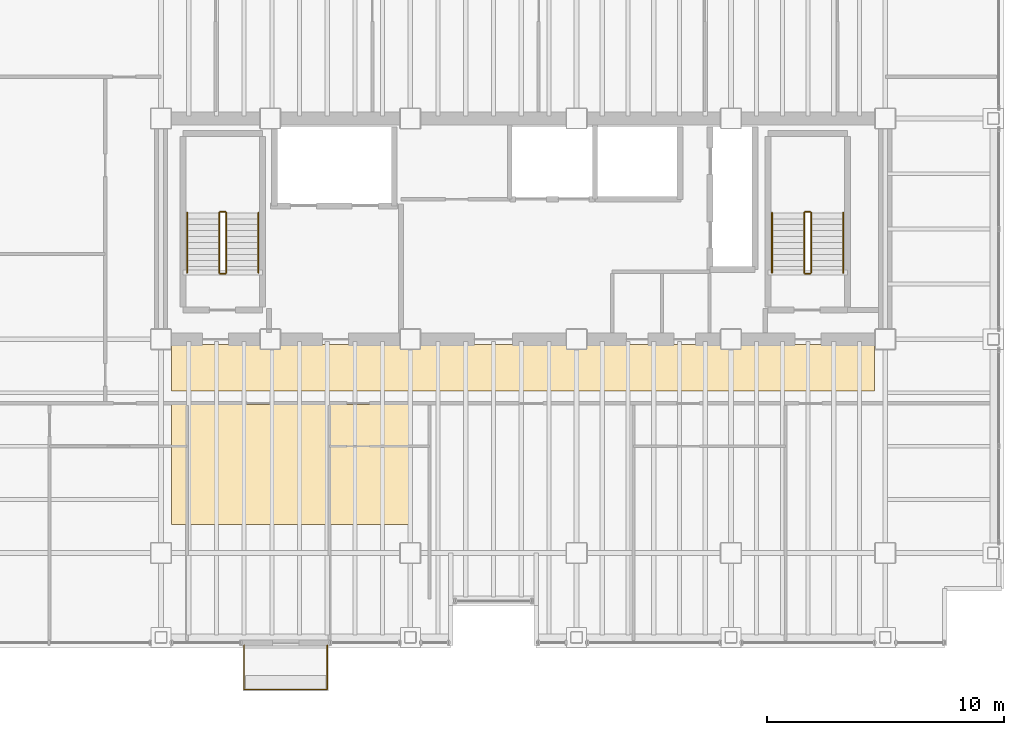
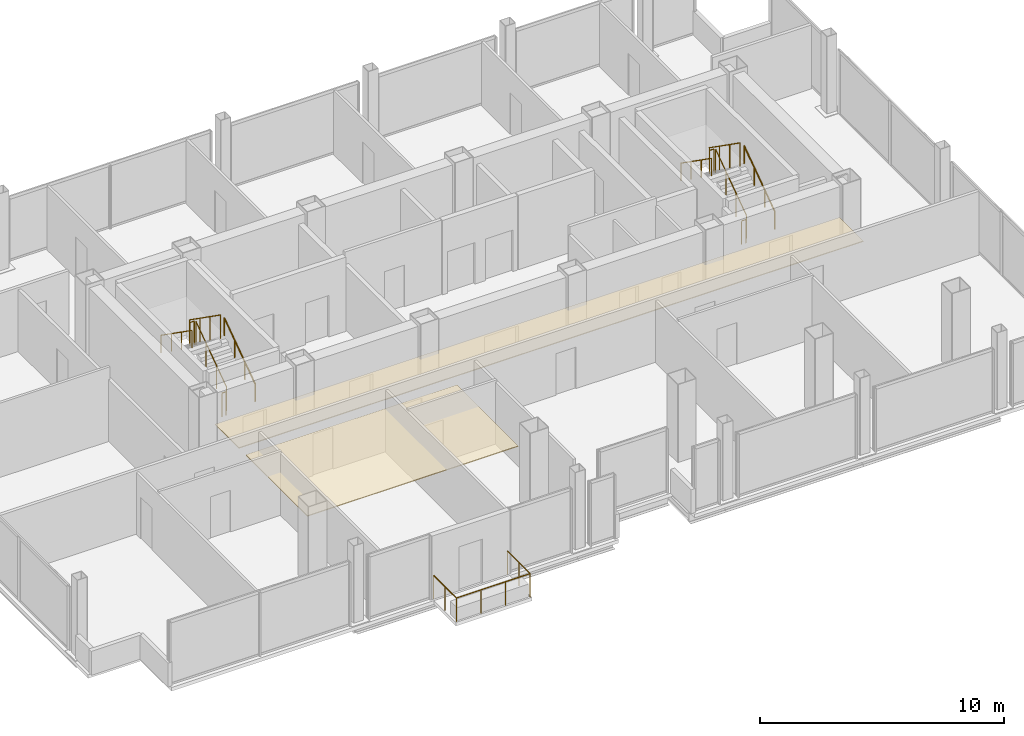
# One storey, part 19 of 19: 13 railings, 2 coverings.
"""IFC4 building model written with IfcOpenShell, lengths in metres."""

from ifc_helpers import new_model, si_unit, direction, frame, origin, origin_2d, place, context, subcontext, project, spatial, polyline, circle, outline, extrude, material, layer, layer_set, type_object, element, save


model = new_model("IFC4")

# Units and contexts
model_context = context("Model", 3, precision=1e-05, world=origin(), true_north=direction((0.0, 1.0)))
body_context = subcontext(model_context, "Body", "Model", "MODEL_VIEW")
ifc_project = project(units=[si_unit("LENGTHUNIT", "METRE"), si_unit("AREAUNIT", "SQUARE_METRE"), si_unit("VOLUMEUNIT", "CUBIC_METRE"), si_unit("PLANEANGLEUNIT", "RADIAN"), si_unit("MASSUNIT", "GRAM", prefix="KILO")], contexts=[model_context])

# Site, building, storey
site_placement = place(None, origin())
site = spatial("IfcSite", under=ifc_project, at=site_placement, CompositionType="ELEMENT")
building_placement = place(site_placement, origin())
building = spatial("IfcBuilding", under=site, at=building_placement, Name="Noeulbin Bourse Tower", CompositionType="ELEMENT")
storey_placement = place(building_placement, frame((0.0, 0.0, 157.800048828125)))
storey = spatial("IfcBuildingStorey", under=building, at=storey_placement, Name="L39", CompositionType="ELEMENT", Elevation=157.800048828125)

# Coverings
ifc_material_1 = material(Name="Perforated Mineral-Fibre Acoustic Tile")
ifc_layer_1 = layer(ifc_material_1, 0.0400390625)
ifc_layer_set_1 = layer_set([ifc_layer_1], Name="Perforated Mineral-Fibre Acoustic Tile")
covering_type = type_object("IfcCoveringType", Name="COV-CEIL-ACT", PredefinedType="CEILING", material=ifc_layer_set_1)
covering_1_placement = place(storey_placement, frame((0.0, 0.0, 2.10986328125)))
element("IfcCovering", 1, at=covering_1_placement, inside=storey, type_object=covering_type, Name="Corridor Suspended Ceiling L39", PredefinedType="CEILING", context=body_context, shape_type="SweptSolid", body=[
    extrude(outline(polyline([(13.949951171875, 26.820068359375), (43.550048828125, 26.820068359375), (43.550048828125, 28.780029296875), (13.949951171875, 28.780029296875), (13.949951171875, 26.820068359375)])), origin(), (0.0, 0.0, 1.0), 0.0400390625),
])
covering_2_placement = place(storey_placement, frame((0.0, 0.0, 2.10986328125)))
element("IfcCovering", 2, at=covering_2_placement, inside=storey, type_object=covering_type, Name="Trading Suite Acoustic Ceiling L39", PredefinedType="CEILING", context=body_context, shape_type="SweptSolid", body=[
    extrude(outline(polyline([(13.949951171875, 21.199951171875), (23.949951171875, 21.199951171875), (23.949951171875, 26.25), (13.949951171875, 26.25), (13.949951171875, 21.199951171875)])), origin(), (0.0, 0.0, 1.0), 0.0400390625),
])

# Railings
ifc_material_2 = material(Name="Laminated SentryGlas and Stainless Steel 316", Category="steel")
ifc_layer_2 = layer(ifc_material_2, 0.06005859375)
ifc_layer_set_2 = layer_set([ifc_layer_2], Name="Laminated SentryGlas and Stainless Steel 316")
railing_type_1 = type_object("IfcRailingType", Name="RLG-BAL-1200", PredefinedType="BALUSTRADE", material=ifc_layer_set_2)
railing_1_placement = place(storey_placement, frame((17.0, 16.1201171875, 0.0)))
element("IfcRailing", 3, at=railing_1_placement, inside=storey, type_object=railing_type_1, Name="Tree-Balcony Glazed Balustrade L39", PredefinedType="BALUSTRADE", context=body_context, shape_type="SweptSolid", body=[
    extrude(circle(Radius=0.02392578125, at=origin_2d()), frame((0.0, 0.0, 1.17578125), z_axis=(0.0, -1.0, 0.0), x_axis=(1.0, 0.0, 0.0)), (0.0, 0.0, 1.0), 1.8701171875),
    extrude(circle(Radius=0.02392578125, at=origin_2d()), frame((0.0, -1.8701171875, 1.17578125), z_axis=(1.0, 0.0, 0.0), x_axis=(0.0, 1.0, 0.0)), (0.0, 0.0, 1.0), 3.5),
    extrude(circle(Radius=0.02392578125, at=origin_2d()), frame((3.5, -1.8701171875, 1.17578125), z_axis=(0.0, 1.0, 0.0), x_axis=(-1.0, 0.0, 0.0)), (0.0, 0.0, 1.0), 1.8701171875),
    extrude(circle(Radius=0.02099609375, at=origin_2d()), origin(), (0.0, 0.0, 1.0), 1.15185546875),
    extrude(circle(Radius=0.02099609375, at=origin_2d()), frame((0.0, -0.93505859375, 0.0)), (0.0, 0.0, 1.0), 1.15185546875),
    extrude(circle(Radius=0.02099609375, at=origin_2d()), frame((0.0, -1.8701171875, 0.0)), (0.0, 0.0, 1.0), 1.15185546875),
    extrude(circle(Radius=0.02099609375, at=origin_2d()), frame((1.166748046875, -1.8701171875, 0.0)), (0.0, 0.0, 1.0), 1.15185546875),
    extrude(circle(Radius=0.02099609375, at=origin_2d()), frame((2.333251953125, -1.8701171875, 0.0)), (0.0, 0.0, 1.0), 1.15185546875),
    extrude(circle(Radius=0.02099609375, at=origin_2d()), frame((3.5, -1.8701171875, 0.0)), (0.0, 0.0, 1.0), 1.15185546875),
    extrude(circle(Radius=0.02099609375, at=origin_2d()), frame((3.5, -0.93505859375, 0.0)), (0.0, 0.0, 1.0), 1.15185546875),
    extrude(circle(Radius=0.02099609375, at=origin_2d()), frame((3.5, 0.0, 0.0)), (0.0, 0.0, 1.0), 1.15185546875),
])
ifc_material_3 = material(Name="Painted Tubular Steel S355", Category="steel")
ifc_layer_3 = layer(ifc_material_3, 0.048095703125)
ifc_layer_set_3 = layer_set([ifc_layer_3], Name="Painted Tubular Steel S355")
railing_type_2 = type_object("IfcRailingType", Name="RLG-STR-GRD", PredefinedType="GUARDRAIL", material=ifc_layer_set_3)
railing_2_placement = place(storey_placement, frame((16.25, 31.81005859375, 0.17724609375)))
element("IfcRailing", 4, at=railing_2_placement, inside=storey, type_object=railing_type_2, Name="L39 ST-1 stair guard 1", PredefinedType="GUARDRAIL", context=body_context, shape_type="SweptSolid", body=[
    extrude(circle(Radius=0.02392578125, at=origin_2d()), frame((0.0, 0.0, 1.17578125), z_axis=(0.0, 0.817904474719, 0.575354039036), x_axis=(-1.0, 0.0, 0.0)), (0.0, 0.0, 1.0), 3.0810546875),
    extrude(circle(Radius=0.02099609375, at=origin_2d()), origin(), (0.0, 0.0, 1.0), 1.15185546875),
    extrude(circle(Radius=0.02099609375, at=origin_2d()), frame((0.0, 0.840087890625, 0.5908203125)), (0.0, 0.0, 1.0), 1.15185546875),
    extrude(circle(Radius=0.02099609375, at=origin_2d()), frame((0.0, 1.679931640625, 1.181884765625)), (0.0, 0.0, 1.0), 1.15185546875),
    extrude(circle(Radius=0.02099609375, at=origin_2d()), frame((0.0, 2.52001953125, 1.772705078125)), (0.0, 0.0, 1.0), 1.15185546875),
])
railing_3_placement = place(storey_placement, frame((16.199951171875, 34.3798828125, 1.949951171875)))
element("IfcRailing", 5, at=railing_3_placement, inside=storey, type_object=railing_type_2, Name="L39 ST-1 stair guard 2", PredefinedType="GUARDRAIL", context=body_context, shape_type="SweptSolid", body=[
    extrude(circle(Radius=0.02392578125, at=origin_2d()), frame((0.0, 0.0, 1.17578125), z_axis=(-1.0, 0.0, 0.0), x_axis=(0.0, -1.0, 0.0)), (0.0, 0.0, 1.0), 0.199951171875),
    extrude(circle(Radius=0.02099609375, at=origin_2d()), origin(), (0.0, 0.0, 1.0), 1.15185546875),
    extrude(circle(Radius=0.02099609375, at=origin_2d()), frame((-0.199951171875, 0.0, 0.0)), (0.0, 0.0, 1.0), 1.15185546875),
])
railing_4_placement = place(storey_placement, frame((15.949951171875, 34.330078125, 2.127197265625)))
element("IfcRailing", 6, at=railing_4_placement, inside=storey, type_object=railing_type_2, Name="L39 ST-1 stair guard 3", PredefinedType="GUARDRAIL", context=body_context, shape_type="SweptSolid", body=[
    extrude(circle(Radius=0.02392578125, at=origin_2d()), frame((0.0, 0.0, 1.17578125), z_axis=(0.0, -0.817904474719, 0.575354039036), x_axis=(1.0, 0.0, 0.0)), (0.0, 0.0, 1.0), 3.0810546875),
    extrude(circle(Radius=0.02099609375, at=origin_2d()), origin(), (0.0, 0.0, 1.0), 1.15185546875),
    extrude(circle(Radius=0.02099609375, at=origin_2d()), frame((0.0, -0.840087890625, 0.5908203125)), (0.0, 0.0, 1.0), 1.15185546875),
    extrude(circle(Radius=0.02099609375, at=origin_2d()), frame((0.0, -1.679931640625, 1.181884765625)), (0.0, 0.0, 1.0), 1.15185546875),
    extrude(circle(Radius=0.02099609375, at=origin_2d()), frame((0.0, -2.52001953125, 1.772705078125)), (0.0, 0.0, 1.0), 1.15185546875),
])
railing_5_placement = place(storey_placement, frame((16.199951171875, 31.760009765625, 0.0)))
element("IfcRailing", 7, at=railing_5_placement, inside=storey, type_object=railing_type_2, Name="L39 ST-1 stair guard 4", PredefinedType="GUARDRAIL", context=body_context, shape_type="SweptSolid", body=[
    extrude(circle(Radius=0.02392578125, at=origin_2d()), frame((0.0, 0.0, 1.17578125), z_axis=(-1.0, 0.0, 0.0), x_axis=(0.0, -1.0, 0.0)), (0.0, 0.0, 1.0), 0.199951171875),
    extrude(circle(Radius=0.02099609375, at=origin_2d()), origin(), (0.0, 0.0, 1.0), 1.15185546875),
    extrude(circle(Radius=0.02099609375, at=origin_2d()), frame((-0.199951171875, 0.0, 0.0)), (0.0, 0.0, 1.0), 1.15185546875),
])
railing_6_placement = place(storey_placement, frame((40.8798828125, 31.81005859375, 0.17724609375)))
element("IfcRailing", 8, at=railing_6_placement, inside=storey, type_object=railing_type_2, Name="L39 ST-2 stair guard 1", PredefinedType="GUARDRAIL", context=body_context, shape_type="SweptSolid", body=[
    extrude(circle(Radius=0.02392578125, at=origin_2d()), frame((0.0, 0.0, 1.17578125), z_axis=(0.0, 0.817904474719, 0.575354039036), x_axis=(-1.0, 0.0, 0.0)), (0.0, 0.0, 1.0), 3.0810546875),
    extrude(circle(Radius=0.02099609375, at=origin_2d()), origin(), (0.0, 0.0, 1.0), 1.15185546875),
    extrude(circle(Radius=0.02099609375, at=origin_2d()), frame((0.0, 0.840087890625, 0.5908203125)), (0.0, 0.0, 1.0), 1.15185546875),
    extrude(circle(Radius=0.02099609375, at=origin_2d()), frame((0.0, 1.679931640625, 1.181884765625)), (0.0, 0.0, 1.0), 1.15185546875),
    extrude(circle(Radius=0.02099609375, at=origin_2d()), frame((0.0, 2.52001953125, 1.772705078125)), (0.0, 0.0, 1.0), 1.15185546875),
])
railing_7_placement = place(storey_placement, frame((40.830078125, 34.3798828125, 1.949951171875)))
element("IfcRailing", 9, at=railing_7_placement, inside=storey, type_object=railing_type_2, Name="L39 ST-2 stair guard 2", PredefinedType="GUARDRAIL", context=body_context, shape_type="SweptSolid", body=[
    extrude(circle(Radius=0.02392578125, at=origin_2d()), frame((0.0, 0.0, 1.17578125), z_axis=(-1.0, 0.0, 0.0), x_axis=(0.0, -1.0, 0.0)), (0.0, 0.0, 1.0), 0.2001953125),
    extrude(circle(Radius=0.02099609375, at=origin_2d()), origin(), (0.0, 0.0, 1.0), 1.15185546875),
    extrude(circle(Radius=0.02099609375, at=origin_2d()), frame((-0.2001953125, 0.0, 0.0)), (0.0, 0.0, 1.0), 1.15185546875),
])
railing_8_placement = place(storey_placement, frame((40.580078125, 34.330078125, 2.127197265625)))
element("IfcRailing", 10, at=railing_8_placement, inside=storey, type_object=railing_type_2, Name="L39 ST-2 stair guard 3", PredefinedType="GUARDRAIL", context=body_context, shape_type="SweptSolid", body=[
    extrude(circle(Radius=0.02392578125, at=origin_2d()), frame((0.0, 0.0, 1.17578125), z_axis=(0.0, -0.817904474719, 0.575354039036), x_axis=(1.0, 0.0, 0.0)), (0.0, 0.0, 1.0), 3.0810546875),
    extrude(circle(Radius=0.02099609375, at=origin_2d()), origin(), (0.0, 0.0, 1.0), 1.15185546875),
    extrude(circle(Radius=0.02099609375, at=origin_2d()), frame((0.0, -0.840087890625, 0.5908203125)), (0.0, 0.0, 1.0), 1.15185546875),
    extrude(circle(Radius=0.02099609375, at=origin_2d()), frame((0.0, -1.679931640625, 1.181884765625)), (0.0, 0.0, 1.0), 1.15185546875),
    extrude(circle(Radius=0.02099609375, at=origin_2d()), frame((0.0, -2.52001953125, 1.772705078125)), (0.0, 0.0, 1.0), 1.15185546875),
])
railing_9_placement = place(storey_placement, frame((40.830078125, 31.760009765625, 0.0)))
element("IfcRailing", 11, at=railing_9_placement, inside=storey, type_object=railing_type_2, Name="L39 ST-2 stair guard 4", PredefinedType="GUARDRAIL", context=body_context, shape_type="SweptSolid", body=[
    extrude(circle(Radius=0.02392578125, at=origin_2d()), frame((0.0, 0.0, 1.17578125), z_axis=(-1.0, 0.0, 0.0), x_axis=(0.0, -1.0, 0.0)), (0.0, 0.0, 1.0), 0.2001953125),
    extrude(circle(Radius=0.02099609375, at=origin_2d()), origin(), (0.0, 0.0, 1.0), 1.15185546875),
    extrude(circle(Radius=0.02099609375, at=origin_2d()), frame((-0.2001953125, 0.0, 0.0)), (0.0, 0.0, 1.0), 1.15185546875),
])
ifc_material_4 = material(Name="Brushed Stainless Steel 316", Category="steel")
ifc_layer_4 = layer(ifc_material_4, 0.048095703125)
ifc_layer_set_4 = layer_set([ifc_layer_4], Name="Brushed Stainless Steel 316")
railing_type_3 = type_object("IfcRailingType", Name="RLG-STR-HND", PredefinedType="HANDRAIL", material=ifc_layer_set_4)
railing_10_placement = place(storey_placement, frame((17.60009765625, 31.81005859375, 0.17724609375)))
element("IfcRailing", 12, at=railing_10_placement, inside=storey, type_object=railing_type_3, Name="L39 ST-1 stair handrail 1", PredefinedType="HANDRAIL", context=body_context, shape_type="SweptSolid", body=[
    extrude(circle(Radius=0.02392578125, at=origin_2d()), frame((0.0, 0.0, 0.8759765625), z_axis=(0.0, 0.817904474719, 0.575354039036), x_axis=(-1.0, 0.0, 0.0)), (0.0, 0.0, 1.0), 3.0810546875),
    extrude(circle(Radius=0.02099609375, at=origin_2d()), origin(), (0.0, 0.0, 1.0), 0.851806640625),
    extrude(circle(Radius=0.02099609375, at=origin_2d()), frame((0.0, 0.840087890625, 0.5908203125)), (0.0, 0.0, 1.0), 0.851806640625),
    extrude(circle(Radius=0.02099609375, at=origin_2d()), frame((0.0, 1.679931640625, 1.181884765625)), (0.0, 0.0, 1.0), 0.851806640625),
    extrude(circle(Radius=0.02099609375, at=origin_2d()), frame((0.0, 2.52001953125, 1.772705078125)), (0.0, 0.0, 1.0), 0.851806640625),
])
railing_11_placement = place(storey_placement, frame((14.60009765625, 34.330078125, 2.127197265625)))
element("IfcRailing", 13, at=railing_11_placement, inside=storey, type_object=railing_type_3, Name="L39 ST-1 stair handrail 2", PredefinedType="HANDRAIL", context=body_context, shape_type="SweptSolid", body=[
    extrude(circle(Radius=0.02392578125, at=origin_2d()), frame((0.0, 0.0, 0.8759765625), z_axis=(0.0, -0.817904474719, 0.575354039036), x_axis=(1.0, 0.0, 0.0)), (0.0, 0.0, 1.0), 3.0810546875),
    extrude(circle(Radius=0.02099609375, at=origin_2d()), origin(), (0.0, 0.0, 1.0), 0.851806640625),
    extrude(circle(Radius=0.02099609375, at=origin_2d()), frame((0.0, -0.840087890625, 0.5908203125)), (0.0, 0.0, 1.0), 0.851806640625),
    extrude(circle(Radius=0.02099609375, at=origin_2d()), frame((0.0, -1.679931640625, 1.181884765625)), (0.0, 0.0, 1.0), 0.851806640625),
    extrude(circle(Radius=0.02099609375, at=origin_2d()), frame((0.0, -2.52001953125, 1.772705078125)), (0.0, 0.0, 1.0), 0.851806640625),
])
railing_12_placement = place(storey_placement, frame((42.22998046875, 31.81005859375, 0.17724609375)))
element("IfcRailing", 14, at=railing_12_placement, inside=storey, type_object=railing_type_3, Name="L39 ST-2 stair handrail 1", PredefinedType="HANDRAIL", context=body_context, shape_type="SweptSolid", body=[
    extrude(circle(Radius=0.02392578125, at=origin_2d()), frame((0.0, 0.0, 0.8759765625), z_axis=(0.0, 0.817904474719, 0.575354039036), x_axis=(-1.0, 0.0, 0.0)), (0.0, 0.0, 1.0), 3.0810546875),
    extrude(circle(Radius=0.02099609375, at=origin_2d()), origin(), (0.0, 0.0, 1.0), 0.851806640625),
    extrude(circle(Radius=0.02099609375, at=origin_2d()), frame((0.0, 0.840087890625, 0.5908203125)), (0.0, 0.0, 1.0), 0.851806640625),
    extrude(circle(Radius=0.02099609375, at=origin_2d()), frame((0.0, 1.679931640625, 1.181884765625)), (0.0, 0.0, 1.0), 0.851806640625),
    extrude(circle(Radius=0.02099609375, at=origin_2d()), frame((0.0, 2.52001953125, 1.772705078125)), (0.0, 0.0, 1.0), 0.851806640625),
])
railing_13_placement = place(storey_placement, frame((39.22998046875, 34.330078125, 2.127197265625)))
element("IfcRailing", 15, at=railing_13_placement, inside=storey, type_object=railing_type_3, Name="L39 ST-2 stair handrail 2", PredefinedType="HANDRAIL", context=body_context, shape_type="SweptSolid", body=[
    extrude(circle(Radius=0.02392578125, at=origin_2d()), frame((0.0, 0.0, 0.8759765625), z_axis=(0.0, -0.817904474719, 0.575354039036), x_axis=(1.0, 0.0, 0.0)), (0.0, 0.0, 1.0), 3.0810546875),
    extrude(circle(Radius=0.02099609375, at=origin_2d()), origin(), (0.0, 0.0, 1.0), 0.851806640625),
    extrude(circle(Radius=0.02099609375, at=origin_2d()), frame((0.0, -0.840087890625, 0.5908203125)), (0.0, 0.0, 1.0), 0.851806640625),
    extrude(circle(Radius=0.02099609375, at=origin_2d()), frame((0.0, -1.679931640625, 1.181884765625)), (0.0, 0.0, 1.0), 0.851806640625),
    extrude(circle(Radius=0.02099609375, at=origin_2d()), frame((0.0, -2.52001953125, 1.772705078125)), (0.0, 0.0, 1.0), 0.851806640625),
])

save(model, "model.ifc")
